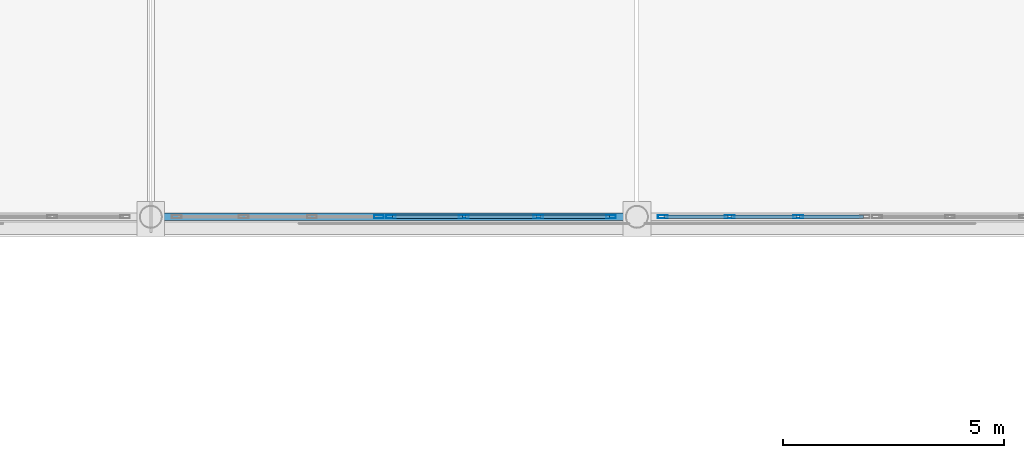
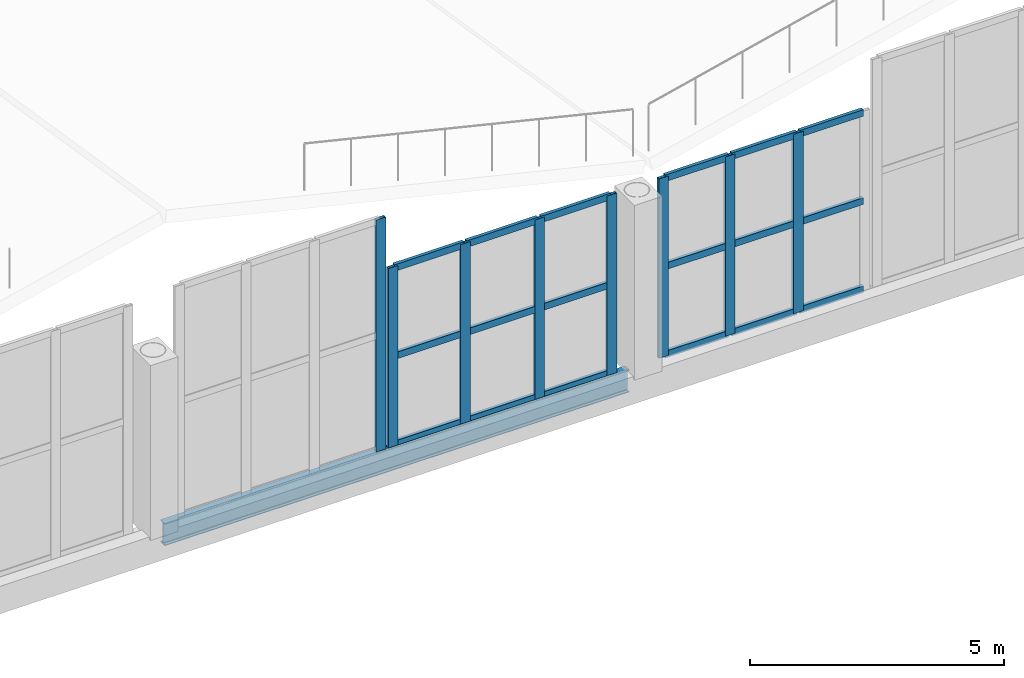
# One storey, part 14 of 120: 26 members, 1 beam, 3 elements without a shape of their own.
"""IFC4 building model written with IfcOpenShell, lengths in metres."""

from ifc_helpers import new_model, si_unit, direction, frame, origin, origin_2d, place, context, subcontext, project, spatial, hollow_rectangle, i_section, extrude, material, material_profile, profile_set, type_object, element, aggregate, save


model = new_model("IFC4")

# Units and contexts
model_context = context("Model", 3, precision=1e-05, world=origin(), true_north=direction((0.0, 1.0)))
body_context = subcontext(model_context, "Body", "Model", "MODEL_VIEW")
ifc_project = project(units=[si_unit("LENGTHUNIT", "METRE"), si_unit("AREAUNIT", "SQUARE_METRE"), si_unit("VOLUMEUNIT", "CUBIC_METRE"), si_unit("PLANEANGLEUNIT", "RADIAN"), si_unit("MASSUNIT", "GRAM", prefix="KILO")], contexts=[model_context])

# Site, building, storey
site_placement = place(None, origin())
site = spatial("IfcSite", under=ifc_project, at=site_placement, CompositionType="ELEMENT")
building_placement = place(site_placement, origin())
building = spatial("IfcBuilding", under=site, at=building_placement, Name="Caurita Quay Ferry Terminal", CompositionType="ELEMENT")
storey_placement = place(building_placement, frame((0.0, 0.0, 9.89990234375)))
storey = spatial("IfcBuildingStorey", under=building, at=storey_placement, Name="L02", CompositionType="ELEMENT", Elevation=9.89990234375)

# Beam
ifc_material_1 = material(Name="Structural steel ASTM A992 Gr. 50", Category="steel")
ifc_material_profile_1 = material_profile(ifc_material_1, i_section(OverallWidth=0.16650390625, OverallDepth=0.535888671875, WebThickness=0.01025390625, FlangeThickness=0.0166015625, FilletRadius=0.013916015625, at=origin_2d()), Name="W21X57")
ifc_profile_set_1 = profile_set([ifc_material_profile_1], Name="Structural steel ASTM A992 Gr. 50")
beam_type = type_object("IfcBeamType", Name="BM-SP-W21B", PredefinedType="SPANDREL", material=ifc_profile_set_1)
beam_placement = place(storey_placement, frame((11.219970703125, 34.60009765625, -0.267822265625), z_axis=(1.0, 0.0, 0.0), x_axis=(0.0, 1.0, 0.0)))
element("IfcBeam", 1, at=beam_placement, inside=storey, type_object=beam_type, Name="V1 Waterside Clerestory Sill Spandrel 11", PredefinedType="SPANDREL", context=body_context, shape_type="SweptSolid", body=[
    extrude(i_section(OverallWidth=0.16650390625, OverallDepth=0.535888671875, WebThickness=0.01025390625, FlangeThickness=0.0166015625, FilletRadius=0.013916015625, at=origin_2d()), origin(), (0.0, 0.0, 1.0), 10.56005859375),
])

# Curtain wall, member
ifc_material_2 = material(Name="Laminated solar-control insulated glass", Category="glass")
curtain_wall_type_1 = type_object("IfcCurtainWallType", Name="CW-SYS-03", PredefinedType="NOTDEFINED", material=ifc_material_2)
curtain_wall_1_placement = place(storey_placement, origin())
curtain_wall_1 = element("IfcCurtainWall", 2, at=curtain_wall_1_placement, inside=storey, type_object=curtain_wall_type_1, Name="Folded Roof Clerestory FB-01-S3", PredefinedType="NOTDEFINED")
ifc_material_3 = material(Name="Anodized aluminium 6063-T6", Category="aluminium")
ifc_material_profile_2 = material_profile(ifc_material_3, hollow_rectangle(XDim=0.074951171875, YDim=0.219970703125, WallThickness=0.00390625, at=origin_2d()), Name="ALU-MUL-75X220")
ifc_profile_set_2 = profile_set([ifc_material_profile_2], Name="Anodized aluminium 6063-T6")
member_type_1 = type_object("IfcMemberType", Name="CW-MUL-220", PredefinedType="MULLION", material=ifc_profile_set_2)
member_1_placement = place(storey_placement, frame((16.16259765625, 34.60009765625, 0.0), z_axis=(0.0, 0.0, 1.0), x_axis=(0.0, 1.0, 0.0)))
member_1 = element("IfcMember", 3, at=member_1_placement, type_object=member_type_1, Name="CW-CLR-003 Mullion 4", PredefinedType="MULLION", context=body_context, shape_type="SweptSolid", body=[
    extrude(hollow_rectangle(XDim=0.074951171875, YDim=0.219970703125, WallThickness=0.00390625, at=origin_2d()), origin(), (0.0, 0.0, 1.0), 5.572998046875),
])
aggregate(curtain_wall_1, [member_1])

# Curtain wall, members
curtain_wall_type_2 = type_object("IfcCurtainWallType", Name="CW-SYS-04", PredefinedType="NOTDEFINED", material=ifc_material_2)
curtain_wall_2_placement = place(storey_placement, origin())
curtain_wall_2 = element("IfcCurtainWall", 4, at=curtain_wall_2_placement, inside=storey, type_object=curtain_wall_type_2, Name="Folded Roof Clerestory FB-01-S4", PredefinedType="NOTDEFINED")
member_2_placement = place(storey_placement, frame((16.4375, 34.60009765625, 0.0), z_axis=(0.0, 0.0, 1.0), x_axis=(0.0, 1.0, 0.0)))
member_2 = element("IfcMember", 5, at=member_2_placement, type_object=member_type_1, Name="CW-CLR-004 Mullion 1", PredefinedType="MULLION", context=body_context, shape_type="SweptSolid", body=[
    extrude(hollow_rectangle(XDim=0.074951171875, YDim=0.219970703125, WallThickness=0.00390625, at=origin_2d()), origin(), (0.0, 0.0, 1.0), 4.31298828125),
])
member_3_placement = place(storey_placement, frame((18.083251953125, 34.60009765625, 0.0), z_axis=(0.0, 0.0, 1.0), x_axis=(0.0, 1.0, 0.0)))
member_3 = element("IfcMember", 6, at=member_3_placement, type_object=member_type_1, Name="CW-CLR-004 Mullion 2", PredefinedType="MULLION", context=body_context, shape_type="SweptSolid", body=[
    extrude(hollow_rectangle(XDim=0.074951171875, YDim=0.219970703125, WallThickness=0.00390625, at=origin_2d()), origin(), (0.0, 0.0, 1.0), 4.31298828125),
])
member_4_placement = place(storey_placement, frame((19.7666015625, 34.60009765625, 0.0), z_axis=(0.0, 0.0, 1.0), x_axis=(0.0, 1.0, 0.0)))
member_4 = element("IfcMember", 7, at=member_4_placement, type_object=member_type_1, Name="CW-CLR-004 Mullion 3", PredefinedType="MULLION", context=body_context, shape_type="SweptSolid", body=[
    extrude(hollow_rectangle(XDim=0.074951171875, YDim=0.219970703125, WallThickness=0.00390625, at=origin_2d()), origin(), (0.0, 0.0, 1.0), 4.31298828125),
])
member_5_placement = place(storey_placement, frame((21.41259765625, 34.60009765625, 0.0), z_axis=(0.0, 0.0, 1.0), x_axis=(0.0, 1.0, 0.0)))
member_5 = element("IfcMember", 8, at=member_5_placement, type_object=member_type_1, Name="CW-CLR-004 Mullion 4", PredefinedType="MULLION", context=body_context, shape_type="SweptSolid", body=[
    extrude(hollow_rectangle(XDim=0.074951171875, YDim=0.219970703125, WallThickness=0.00390625, at=origin_2d()), origin(), (0.0, 0.0, 1.0), 4.31298828125),
])

curtain_wall_type_3 = type_object("IfcCurtainWallType", Name="CW-SYS-01", PredefinedType="NOTDEFINED", material=ifc_material_2)
curtain_wall_3_placement = place(storey_placement, origin())
curtain_wall_3 = element("IfcCurtainWall", 9, at=curtain_wall_3_placement, inside=storey, type_object=curtain_wall_type_3, Name="Folded Roof Clerestory FB-02-S1", PredefinedType="NOTDEFINED")
member_6_placement = place(storey_placement, frame((22.58740234375, 34.60009765625, 0.0), z_axis=(0.0, 0.0, 1.0), x_axis=(0.0, 1.0, 0.0)))
member_6 = element("IfcMember", 10, at=member_6_placement, type_object=member_type_1, Name="CW-CLR-009 Mullion 1", PredefinedType="MULLION", context=body_context, shape_type="SweptSolid", body=[
    extrude(hollow_rectangle(XDim=0.074951171875, YDim=0.219970703125, WallThickness=0.00390625, at=origin_2d()), origin(), (0.0, 0.0, 1.0), 4.31298828125),
])
member_7_placement = place(storey_placement, frame((24.10009765625, 34.60009765625, 0.0), z_axis=(0.0, 0.0, 1.0), x_axis=(0.0, 1.0, 0.0)))
member_7 = element("IfcMember", 11, at=member_7_placement, type_object=member_type_1, Name="CW-CLR-009 Mullion 2", PredefinedType="MULLION", context=body_context, shape_type="SweptSolid", body=[
    extrude(hollow_rectangle(XDim=0.074951171875, YDim=0.219970703125, WallThickness=0.00390625, at=origin_2d()), origin(), (0.0, 0.0, 1.0), 4.31298828125),
])
member_8_placement = place(storey_placement, frame((25.64990234375, 34.60009765625, 0.0), z_axis=(0.0, 0.0, 1.0), x_axis=(0.0, 1.0, 0.0)))
member_8 = element("IfcMember", 12, at=member_8_placement, type_object=member_type_1, Name="CW-CLR-009 Mullion 3", PredefinedType="MULLION", context=body_context, shape_type="SweptSolid", body=[
    extrude(hollow_rectangle(XDim=0.074951171875, YDim=0.219970703125, WallThickness=0.00390625, at=origin_2d()), origin(), (0.0, 0.0, 1.0), 4.31298828125),
])

# Member
ifc_material_profile_3 = material_profile(ifc_material_3, hollow_rectangle(XDim=0.074951171875, YDim=0.159912109375, WallThickness=0.00390625, at=origin_2d()), Name="ALU-TRN-75X160")
ifc_profile_set_3 = profile_set([ifc_material_profile_3], Name="Anodized aluminium 6063-T6")
member_type_2 = type_object("IfcMemberType", Name="CW-TRN-160", PredefinedType="USERDEFINED", material=ifc_profile_set_3)
member_9_placement = place(storey_placement, frame((16.472900390625, 34.60009765625, 0.03759765625), z_axis=(1.0, 0.0, 0.0), x_axis=(0.0, 1.0, 0.0)))
member_9 = element("IfcMember", 13, at=member_9_placement, type_object=member_type_2, Name="CW-CLR-004 Transom 1", ObjectType="TRANSOM", PredefinedType="USERDEFINED", context=body_context, shape_type="SweptSolid", body=[
    extrude(hollow_rectangle(XDim=0.074951171875, YDim=0.159912109375, WallThickness=0.00390625, at=origin_2d()), origin(), (0.0, 0.0, 1.0), 1.574951171875),
])

member_10_placement = place(storey_placement, frame((16.472900390625, 34.60009765625, 2.156494140625), z_axis=(1.0, 0.0, 0.0), x_axis=(0.0, 1.0, 0.0)))
member_10 = element("IfcMember", 14, at=member_10_placement, type_object=member_type_2, Name="CW-CLR-004 Transom 2", ObjectType="TRANSOM", PredefinedType="USERDEFINED", context=body_context, shape_type="SweptSolid", body=[
    extrude(hollow_rectangle(XDim=0.074951171875, YDim=0.159912109375, WallThickness=0.00390625, at=origin_2d()), origin(), (0.0, 0.0, 1.0), 1.574951171875),
])

member_11_placement = place(storey_placement, frame((16.472900390625, 34.60009765625, 4.275634765625), z_axis=(1.0, 0.0, 0.0), x_axis=(0.0, 1.0, 0.0)))
member_11 = element("IfcMember", 15, at=member_11_placement, type_object=member_type_2, Name="CW-CLR-004 Transom 3", ObjectType="TRANSOM", PredefinedType="USERDEFINED", context=body_context, shape_type="SweptSolid", body=[
    extrude(hollow_rectangle(XDim=0.074951171875, YDim=0.159912109375, WallThickness=0.00390625, at=origin_2d()), origin(), (0.0, 0.0, 1.0), 1.574951171875),
])

member_12_placement = place(storey_placement, frame((18.118896484375, 34.60009765625, 0.03759765625), z_axis=(1.0, 0.0, 0.0), x_axis=(0.0, 1.0, 0.0)))
member_12 = element("IfcMember", 16, at=member_12_placement, type_object=member_type_2, Name="CW-CLR-004 Transom 4", ObjectType="TRANSOM", PredefinedType="USERDEFINED", context=body_context, shape_type="SweptSolid", body=[
    extrude(hollow_rectangle(XDim=0.074951171875, YDim=0.159912109375, WallThickness=0.00390625, at=origin_2d()), origin(), (0.0, 0.0, 1.0), 1.6123046875),
])

member_13_placement = place(storey_placement, frame((18.118896484375, 34.60009765625, 2.156494140625), z_axis=(1.0, 0.0, 0.0), x_axis=(0.0, 1.0, 0.0)))
member_13 = element("IfcMember", 17, at=member_13_placement, type_object=member_type_2, Name="CW-CLR-004 Transom 5", ObjectType="TRANSOM", PredefinedType="USERDEFINED", context=body_context, shape_type="SweptSolid", body=[
    extrude(hollow_rectangle(XDim=0.074951171875, YDim=0.159912109375, WallThickness=0.00390625, at=origin_2d()), origin(), (0.0, 0.0, 1.0), 1.6123046875),
])

member_14_placement = place(storey_placement, frame((18.118896484375, 34.60009765625, 4.275634765625), z_axis=(1.0, 0.0, 0.0), x_axis=(0.0, 1.0, 0.0)))
member_14 = element("IfcMember", 18, at=member_14_placement, type_object=member_type_2, Name="CW-CLR-004 Transom 6", ObjectType="TRANSOM", PredefinedType="USERDEFINED", context=body_context, shape_type="SweptSolid", body=[
    extrude(hollow_rectangle(XDim=0.074951171875, YDim=0.159912109375, WallThickness=0.00390625, at=origin_2d()), origin(), (0.0, 0.0, 1.0), 1.6123046875),
])

member_15_placement = place(storey_placement, frame((19.80224609375, 34.60009765625, 0.03759765625), z_axis=(1.0, 0.0, 0.0), x_axis=(0.0, 1.0, 0.0)))
member_15 = element("IfcMember", 19, at=member_15_placement, type_object=member_type_2, Name="CW-CLR-004 Transom 7", ObjectType="TRANSOM", PredefinedType="USERDEFINED", context=body_context, shape_type="SweptSolid", body=[
    extrude(hollow_rectangle(XDim=0.074951171875, YDim=0.159912109375, WallThickness=0.00390625, at=origin_2d()), origin(), (0.0, 0.0, 1.0), 1.57470703125),
])

member_16_placement = place(storey_placement, frame((19.80224609375, 34.60009765625, 2.156494140625), z_axis=(1.0, 0.0, 0.0), x_axis=(0.0, 1.0, 0.0)))
member_16 = element("IfcMember", 20, at=member_16_placement, type_object=member_type_2, Name="CW-CLR-004 Transom 8", ObjectType="TRANSOM", PredefinedType="USERDEFINED", context=body_context, shape_type="SweptSolid", body=[
    extrude(hollow_rectangle(XDim=0.074951171875, YDim=0.159912109375, WallThickness=0.00390625, at=origin_2d()), origin(), (0.0, 0.0, 1.0), 1.57470703125),
])

member_17_placement = place(storey_placement, frame((19.80224609375, 34.60009765625, 4.275634765625), z_axis=(1.0, 0.0, 0.0), x_axis=(0.0, 1.0, 0.0)))
member_17 = element("IfcMember", 21, at=member_17_placement, type_object=member_type_2, Name="CW-CLR-004 Transom 9", ObjectType="TRANSOM", PredefinedType="USERDEFINED", context=body_context, shape_type="SweptSolid", body=[
    extrude(hollow_rectangle(XDim=0.074951171875, YDim=0.159912109375, WallThickness=0.00390625, at=origin_2d()), origin(), (0.0, 0.0, 1.0), 1.57470703125),
])

aggregate(curtain_wall_2, [member_2, member_3, member_4, member_5, member_9, member_10, member_11, member_12, member_13, member_14, member_15, member_16, member_17])

member_18_placement = place(storey_placement, frame((22.623046875, 34.60009765625, 0.03759765625), z_axis=(1.0, 0.0, 0.0), x_axis=(0.0, 1.0, 0.0)))
member_18 = element("IfcMember", 22, at=member_18_placement, type_object=member_type_2, Name="CW-CLR-009 Transom 1", ObjectType="TRANSOM", PredefinedType="USERDEFINED", context=body_context, shape_type="SweptSolid", body=[
    extrude(hollow_rectangle(XDim=0.074951171875, YDim=0.159912109375, WallThickness=0.00390625, at=origin_2d()), origin(), (0.0, 0.0, 1.0), 1.44140625),
])

member_19_placement = place(storey_placement, frame((22.623046875, 34.60009765625, 2.156494140625), z_axis=(1.0, 0.0, 0.0), x_axis=(0.0, 1.0, 0.0)))
member_19 = element("IfcMember", 23, at=member_19_placement, type_object=member_type_2, Name="CW-CLR-009 Transom 2", ObjectType="TRANSOM", PredefinedType="USERDEFINED", context=body_context, shape_type="SweptSolid", body=[
    extrude(hollow_rectangle(XDim=0.074951171875, YDim=0.159912109375, WallThickness=0.00390625, at=origin_2d()), origin(), (0.0, 0.0, 1.0), 1.44140625),
])

member_20_placement = place(storey_placement, frame((22.623046875, 34.60009765625, 4.275634765625), z_axis=(1.0, 0.0, 0.0), x_axis=(0.0, 1.0, 0.0)))
member_20 = element("IfcMember", 24, at=member_20_placement, type_object=member_type_2, Name="CW-CLR-009 Transom 3", ObjectType="TRANSOM", PredefinedType="USERDEFINED", context=body_context, shape_type="SweptSolid", body=[
    extrude(hollow_rectangle(XDim=0.074951171875, YDim=0.159912109375, WallThickness=0.00390625, at=origin_2d()), origin(), (0.0, 0.0, 1.0), 1.44140625),
])

member_21_placement = place(storey_placement, frame((24.135498046875, 34.60009765625, 0.03759765625), z_axis=(1.0, 0.0, 0.0), x_axis=(0.0, 1.0, 0.0)))
member_21 = element("IfcMember", 25, at=member_21_placement, type_object=member_type_2, Name="CW-CLR-009 Transom 4", ObjectType="TRANSOM", PredefinedType="USERDEFINED", context=body_context, shape_type="SweptSolid", body=[
    extrude(hollow_rectangle(XDim=0.074951171875, YDim=0.159912109375, WallThickness=0.00390625, at=origin_2d()), origin(), (0.0, 0.0, 1.0), 1.47900390625),
])

member_22_placement = place(storey_placement, frame((24.135498046875, 34.60009765625, 2.156494140625), z_axis=(1.0, 0.0, 0.0), x_axis=(0.0, 1.0, 0.0)))
member_22 = element("IfcMember", 26, at=member_22_placement, type_object=member_type_2, Name="CW-CLR-009 Transom 5", ObjectType="TRANSOM", PredefinedType="USERDEFINED", context=body_context, shape_type="SweptSolid", body=[
    extrude(hollow_rectangle(XDim=0.074951171875, YDim=0.159912109375, WallThickness=0.00390625, at=origin_2d()), origin(), (0.0, 0.0, 1.0), 1.47900390625),
])

member_23_placement = place(storey_placement, frame((24.135498046875, 34.60009765625, 4.275634765625), z_axis=(1.0, 0.0, 0.0), x_axis=(0.0, 1.0, 0.0)))
member_23 = element("IfcMember", 27, at=member_23_placement, type_object=member_type_2, Name="CW-CLR-009 Transom 6", ObjectType="TRANSOM", PredefinedType="USERDEFINED", context=body_context, shape_type="SweptSolid", body=[
    extrude(hollow_rectangle(XDim=0.074951171875, YDim=0.159912109375, WallThickness=0.00390625, at=origin_2d()), origin(), (0.0, 0.0, 1.0), 1.47900390625),
])

member_24_placement = place(storey_placement, frame((25.685546875, 34.60009765625, 0.03759765625), z_axis=(1.0, 0.0, 0.0), x_axis=(0.0, 1.0, 0.0)))
member_24 = element("IfcMember", 28, at=member_24_placement, type_object=member_type_2, Name="CW-CLR-009 Transom 7", ObjectType="TRANSOM", PredefinedType="USERDEFINED", context=body_context, shape_type="SweptSolid", body=[
    extrude(hollow_rectangle(XDim=0.074951171875, YDim=0.159912109375, WallThickness=0.00390625, at=origin_2d()), origin(), (0.0, 0.0, 1.0), 1.44140625),
])

member_25_placement = place(storey_placement, frame((25.685546875, 34.60009765625, 2.156494140625), z_axis=(1.0, 0.0, 0.0), x_axis=(0.0, 1.0, 0.0)))
member_25 = element("IfcMember", 29, at=member_25_placement, type_object=member_type_2, Name="CW-CLR-009 Transom 8", ObjectType="TRANSOM", PredefinedType="USERDEFINED", context=body_context, shape_type="SweptSolid", body=[
    extrude(hollow_rectangle(XDim=0.074951171875, YDim=0.159912109375, WallThickness=0.00390625, at=origin_2d()), origin(), (0.0, 0.0, 1.0), 1.44140625),
])

member_26_placement = place(storey_placement, frame((25.685546875, 34.60009765625, 4.275634765625), z_axis=(1.0, 0.0, 0.0), x_axis=(0.0, 1.0, 0.0)))
member_26 = element("IfcMember", 30, at=member_26_placement, type_object=member_type_2, Name="CW-CLR-009 Transom 9", ObjectType="TRANSOM", PredefinedType="USERDEFINED", context=body_context, shape_type="SweptSolid", body=[
    extrude(hollow_rectangle(XDim=0.074951171875, YDim=0.159912109375, WallThickness=0.00390625, at=origin_2d()), origin(), (0.0, 0.0, 1.0), 1.44140625),
])

aggregate(curtain_wall_3, [member_6, member_7, member_8, member_18, member_19, member_20, member_21, member_22, member_23, member_24, member_25, member_26])

save(model, "model.ifc")
